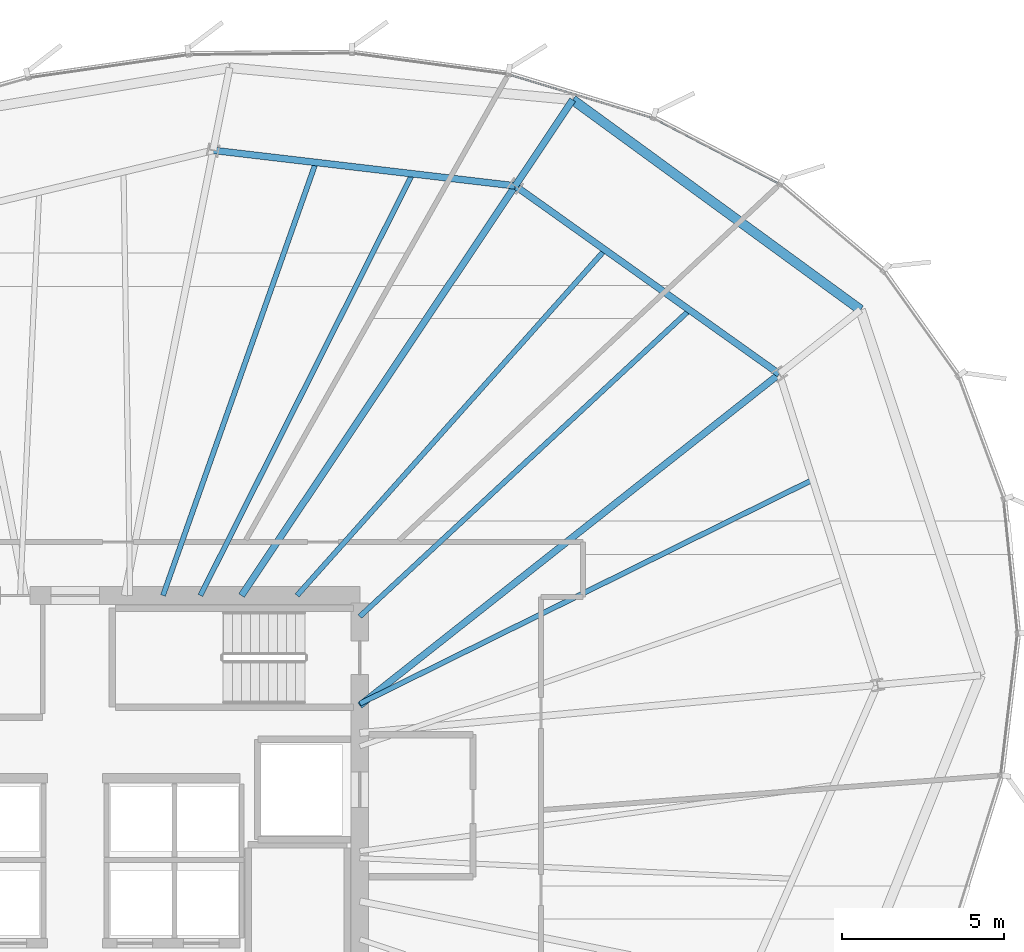
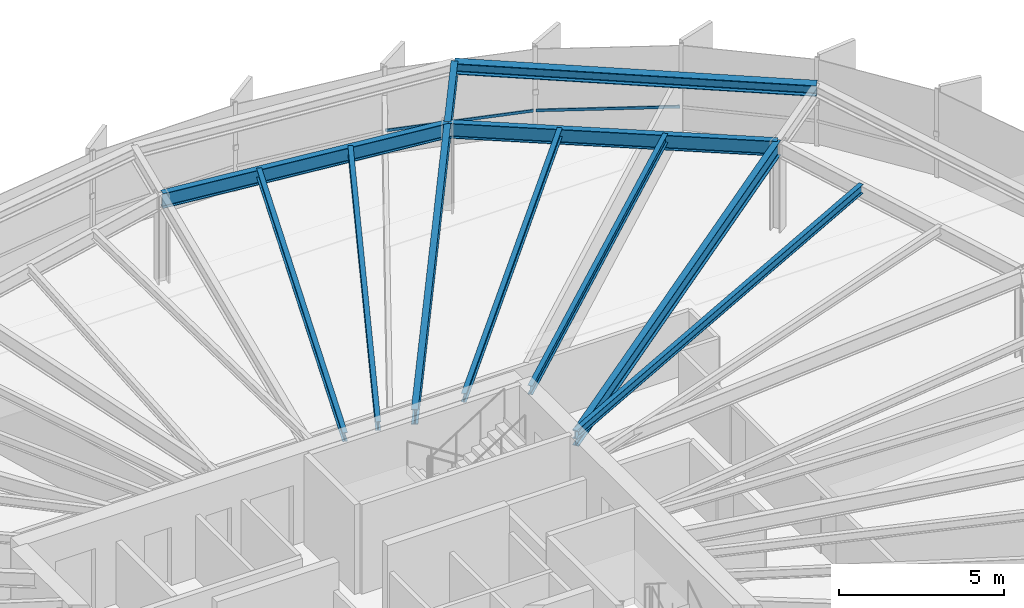
# One storey, part 23 of 35: 11 beams, 2 members, 1 element without a shape of its own.
"""IFC4 building model written with IfcOpenShell, lengths in metres."""

from ifc_helpers import new_model, si_unit, direction, frame, origin, origin_2d, place, context, subcontext, project, spatial, hollow_rectangle, i_section, extrude, source, transform, mapped, material, layer, layer_set, material_profile, profile_set, type_object, element, aggregate, save


model = new_model("IFC4")

# Units and contexts
model_context = context("Model", 3, precision=1e-05, world=origin(), true_north=direction((0.0, 1.0)))
body_context = subcontext(model_context, "Body", "Model", "MODEL_VIEW")
ifc_project = project(units=[si_unit("LENGTHUNIT", "METRE"), si_unit("AREAUNIT", "SQUARE_METRE"), si_unit("VOLUMEUNIT", "CUBIC_METRE"), si_unit("PLANEANGLEUNIT", "RADIAN"), si_unit("MASSUNIT", "GRAM", prefix="KILO"), si_unit("THERMODYNAMICTEMPERATUREUNIT", "KELVIN")], contexts=[model_context])

# Site, building, storey
site_placement = place(None, origin())
site = spatial("IfcSite", under=ifc_project, at=site_placement, CompositionType="ELEMENT")
building_placement = place(site_placement, origin())
building = spatial("IfcBuilding", under=site, at=building_placement, Name="Kethvar Cultural Tower", CompositionType="ELEMENT")
storey_placement = place(building_placement, frame((0.0, 0.0, 146.550048828125)))
storey = spatial("IfcBuildingStorey", under=building, at=storey_placement, Name="L37", CompositionType="ELEMENT", Elevation=146.550048828125)

# Beams
ifc_material_1 = material(Name="Steel S355J2", Category="steel")
ifc_material_profile_1 = material_profile(ifc_material_1, i_section(OverallWidth=0.2099609375, OverallDepth=0.550048828125, WebThickness=0.010986328125, FlangeThickness=0.01708984375, FilletRadius=0.02392578125, at=origin_2d()), Name="Steel S355J2 — IPE550")
ifc_profile_set_1 = profile_set([ifc_material_profile_1], Name="Steel S355J2 — IPE550")
beam_type_1 = type_object("IfcBeamType", Name="BM-IPE550", PredefinedType="BEAM", material=ifc_profile_set_1)
shared_shape_1 = source(origin(), body_context, "Body", "SweptSolid", [
    extrude(i_section(OverallWidth=0.2099609375, OverallDepth=0.550048828125, WebThickness=0.010986328125, FlangeThickness=0.01708984375, FilletRadius=0.02392578125, at=origin_2d()), origin(), (0.0, 0.0, 1.0), 3.199951171875),
])
beam_1_placement = place(storey_placement, frame((60.40478515625, 48.160888671875, 3.02294921875), z_axis=(0.555580212716, 0.831462943996, 0.0), x_axis=(-0.831462943996, 0.555580212716, 0.0)))
element("IfcBeam", 1, at=beam_1_placement, inside=storey, type_object=beam_type_1, Name="L37 Perimeter Cantilever Beam RC-03", PredefinedType="BEAM", context=body_context, shape_type="MappedRepresentation", body=[
    mapped(shared_shape_1, transform((0.0, 0.0, 0.0), scale=1.0)),
])
shared_shape_2 = source(origin(), body_context, "Body", "SweptSolid", [
    extrude(i_section(OverallWidth=0.2099609375, OverallDepth=0.550048828125, WebThickness=0.010986328125, FlangeThickness=0.01708984375, FilletRadius=0.02392578125, at=origin_2d()), origin(), (0.0, 0.0, 1.0), 16.527099609375),
])
beam_2_placement = place(storey_placement, frame((55.60009765625, 32.10009765625, 3.02294921875), z_axis=(0.784681939021, 0.619898584105, 0.0), x_axis=(-0.619898584105, 0.784681939021, 0.0)))
element("IfcBeam", 2, at=beam_2_placement, inside=storey, type_object=beam_type_1, Name="L37 Primary Radial Beam RB-02", PredefinedType="BEAM", context=body_context, shape_type="MappedRepresentation", body=[
    mapped(shared_shape_2, transform((0.0, 0.0, 0.0), scale=1.0)),
])
shared_shape_3 = source(origin(), body_context, "Body", "SweptSolid", [
    extrude(i_section(OverallWidth=0.2099609375, OverallDepth=0.550048828125, WebThickness=0.010986328125, FlangeThickness=0.01708984375, FilletRadius=0.02392578125, at=origin_2d()), origin(), (0.0, 0.0, 1.0), 15.22705078125),
])
beam_3_placement = place(storey_placement, frame((51.945068359375, 35.5, 3.02294921875), z_axis=(0.555569390778, 0.83147017507, 0.0), x_axis=(-0.83147017507, 0.555569390778, 0.0)))
element("IfcBeam", 3, at=beam_3_placement, inside=storey, type_object=beam_type_1, Name="L37 Primary Radial Beam RB-03", PredefinedType="BEAM", context=body_context, shape_type="MappedRepresentation", body=[
    mapped(shared_shape_3, transform((0.0, 0.0, 0.0), scale=1.0)),
])
ifc_material_profile_2 = material_profile(ifc_material_1, i_section(OverallWidth=0.159912109375, OverallDepth=0.330078125, WebThickness=0.007568359375, FlangeThickness=0.011474609375, FilletRadius=0.01806640625, at=origin_2d()), Name="Steel S355J2 — IPE330")
ifc_profile_set_2 = profile_set([ifc_material_profile_2], Name="Steel S355J2 — IPE330")
beam_type_2 = type_object("IfcBeamType", Name="BM-J330", PredefinedType="JOIST", material=ifc_profile_set_2)
shared_shape_4 = source(origin(), body_context, "Body", "SweptSolid", [
    extrude(i_section(OverallWidth=0.159912109375, OverallDepth=0.330078125, WebThickness=0.007568359375, FlangeThickness=0.011474609375, FilletRadius=0.01806640625, at=origin_2d()), origin(), (0.0, 0.0, 1.0), 15.618896484375),
])
beam_4_placement = place(storey_placement, frame((55.60009765625, 32.152587890625, 3.133056640625), z_axis=(0.896344638992, 0.443357968408, 0.0), x_axis=(-0.443357968408, 0.896344638992, 0.0)))
element("IfcBeam", 4, at=beam_4_placement, inside=storey, type_object=beam_type_2, Name="L37 Composite Floor Joist J-01B", PredefinedType="JOIST", context=body_context, shape_type="MappedRepresentation", body=[
    mapped(shared_shape_4, transform((0.0, 0.0, 0.0), scale=1.0)),
])
shared_shape_5 = source(origin(), body_context, "Body", "SweptSolid", [
    extrude(i_section(OverallWidth=0.2099609375, OverallDepth=0.550048828125, WebThickness=0.010986328125, FlangeThickness=0.01708984375, FilletRadius=0.02392578125, at=origin_2d()), origin(), (0.0, 0.0, 1.0), 10.0234375),
])
beam_5_placement = place(storey_placement, frame((68.568603515625, 42.34521484375, 3.02294921875), z_axis=(-0.814470106239, 0.580205520521, 0.0), x_axis=(-0.580205520521, -0.814470106239, 0.0)))
element("IfcBeam", 5, at=beam_5_placement, inside=storey, type_object=beam_type_1, Name="L37 Column Ring Tie Beam CR-02", PredefinedType="BEAM", context=body_context, shape_type="MappedRepresentation", body=[
    mapped(shared_shape_5, transform((0.0, 0.0, 0.0), scale=1.0)),
])
shared_shape_6 = source(origin(), body_context, "Body", "SweptSolid", [
    extrude(i_section(OverallWidth=0.159912109375, OverallDepth=0.330078125, WebThickness=0.007568359375, FlangeThickness=0.011474609375, FilletRadius=0.01806640625, at=origin_2d()), origin(), (0.0, 0.0, 1.0), 13.91455078125),
])
beam_6_placement = place(storey_placement, frame((55.60009765625, 34.85009765625, 3.133056640625), z_axis=(0.732512843328, 0.680753211054, 0.0), x_axis=(-0.680753211054, 0.732512843328, 0.0)))
element("IfcBeam", 6, at=beam_6_placement, inside=storey, type_object=beam_type_2, Name="L37 Composite Floor Joist J-02A", PredefinedType="JOIST", context=body_context, shape_type="MappedRepresentation", body=[
    mapped(shared_shape_6, transform((0.0, 0.0, 0.0), scale=1.0)),
])
shared_shape_7 = source(origin(), body_context, "Body", "SweptSolid", [
    extrude(i_section(OverallWidth=0.159912109375, OverallDepth=0.330078125, WebThickness=0.007568359375, FlangeThickness=0.011474609375, FilletRadius=0.01806640625, at=origin_2d()), origin(), (0.0, 0.0, 1.0), 14.3095703125),
])
beam_7_placement = place(storey_placement, frame((53.660888671875, 35.5, 3.133056640625), z_axis=(0.665261381663, 0.746610537073, 0.0), x_axis=(-0.746610537073, 0.665261381663, 0.0)))
element("IfcBeam", 7, at=beam_7_placement, inside=storey, type_object=beam_type_2, Name="L37 Composite Floor Joist J-02B", PredefinedType="JOIST", context=body_context, shape_type="MappedRepresentation", body=[
    mapped(shared_shape_7, transform((0.0, 0.0, 0.0), scale=1.0)),
])
shared_shape_8 = source(origin(), body_context, "Body", "SweptSolid", [
    extrude(i_section(OverallWidth=0.2099609375, OverallDepth=0.550048828125, WebThickness=0.010986328125, FlangeThickness=0.01708984375, FilletRadius=0.02392578125, at=origin_2d()), origin(), (0.0, 0.0, 1.0), 9.400634765625),
])
beam_8_placement = place(storey_placement, frame((60.40478515625, 48.160888671875, 3.02294921875), z_axis=(-0.993150427046, 0.116842754407, 0.0), x_axis=(-0.116842754407, -0.993150427046, 0.0)))
element("IfcBeam", 8, at=beam_8_placement, inside=storey, type_object=beam_type_1, Name="L37 Column Ring Tie Beam CR-03", PredefinedType="BEAM", context=body_context, shape_type="MappedRepresentation", body=[
    mapped(shared_shape_8, transform((0.0, 0.0, 0.0), scale=1.0)),
])
shared_shape_9 = source(origin(), body_context, "Body", "SweptSolid", [
    extrude(i_section(OverallWidth=0.159912109375, OverallDepth=0.330078125, WebThickness=0.007568359375, FlangeThickness=0.011474609375, FilletRadius=0.01806640625, at=origin_2d()), origin(), (0.0, 0.0, 1.0), 14.590576171875),
])
beam_9_placement = place(storey_placement, frame((50.673583984375, 35.5, 3.133056640625), z_axis=(0.449394228778, 0.893333547529, 0.0), x_axis=(-0.893333547529, 0.449394228778, 0.0)))
element("IfcBeam", 9, at=beam_9_placement, inside=storey, type_object=beam_type_2, Name="L37 Composite Floor Joist J-03A", PredefinedType="JOIST", context=body_context, shape_type="MappedRepresentation", body=[
    mapped(shared_shape_9, transform((0.0, 0.0, 0.0), scale=1.0)),
])
shared_shape_10 = source(origin(), body_context, "Body", "SweptSolid", [
    extrude(i_section(OverallWidth=0.159912109375, OverallDepth=0.330078125, WebThickness=0.007568359375, FlangeThickness=0.011474609375, FilletRadius=0.01806640625, at=origin_2d()), origin(), (0.0, 0.0, 1.0), 14.1953125),
])
beam_10_placement = place(storey_placement, frame((49.517822265625, 35.5, 3.133056640625), z_axis=(0.332865098769, 0.942974456717, 0.0), x_axis=(-0.942974456717, 0.332865098769, 0.0)))
element("IfcBeam", 10, at=beam_10_placement, inside=storey, type_object=beam_type_2, Name="L37 Composite Floor Joist J-03B", PredefinedType="JOIST", context=body_context, shape_type="MappedRepresentation", body=[
    mapped(shared_shape_10, transform((0.0, 0.0, 0.0), scale=1.0)),
])
ifc_material_profile_3 = material_profile(ifc_material_1, i_section(OverallWidth=0.300048828125, OverallDepth=0.39990234375, WebThickness=0.013427734375, FlangeThickness=0.02392578125, FilletRadius=0.027099609375, at=origin_2d()), Name="Steel S355J2 — HEB400")
ifc_profile_set_3 = profile_set([ifc_material_profile_3], Name="Steel S355J2 — HEB400")
beam_type_3 = type_object("IfcBeamType", Name="BM-SP400", PredefinedType="SPANDREL", material=ifc_profile_set_3)
shared_shape_11 = source(origin(), body_context, "Body", "SweptSolid", [
    extrude(i_section(OverallWidth=0.300048828125, OverallDepth=0.39990234375, WebThickness=0.013427734375, FlangeThickness=0.02392578125, FilletRadius=0.027099609375, at=origin_2d()), origin(), (0.0, 0.0, 1.0), 11.013916015625),
])
beam_11_placement = place(storey_placement, frame((71.07958984375, 44.3291015625, 3.097900390625), z_axis=(-0.807788950974, 0.589471806522, 0.0), x_axis=(-0.589471806522, -0.807788950974, 0.0)))
element("IfcBeam", 11, at=beam_11_placement, inside=storey, type_object=beam_type_3, Name="L37 Perimeter Spandrel Beam SP-02", PredefinedType="SPANDREL", context=body_context, shape_type="MappedRepresentation", body=[
    mapped(shared_shape_11, transform((0.0, 0.0, 0.0), scale=1.0)),
])

# Curtain wall, members
ifc_material_2 = material(Name="Aluminium 6063-T6", Category="aluminium")
ifc_layer = layer(ifc_material_2, 0.179931640625, Name="Aluminium 6063-T6", Category="aluminium")
ifc_layer_set = layer_set([ifc_layer], Name="Aluminium 6063-T6 (180 mm)")
curtain_wall_type = type_object("IfcCurtainWallType", Name="CW-SYS-04-Z34", PredefinedType="NOTDEFINED", material=ifc_layer_set)
curtain_wall_placement = place(storey_placement, origin())
curtain_wall = element("IfcCurtainWall", 12, at=curtain_wall_placement, inside=storey, type_object=curtain_wall_type, Name="L37 Curtain Wall Run 01", PredefinedType="NOTDEFINED")
ifc_material_profile_4 = material_profile(ifc_material_2, hollow_rectangle(XDim=0.050048828125, YDim=0.10009765625, WallThickness=0.00390625, at=origin_2d()), Name="Aluminium 6063-T6 — RHS100x50x4")
ifc_profile_set_4 = profile_set([ifc_material_profile_4], Name="Aluminium 6063-T6 — RHS100x50x4")
member_type = type_object("IfcMemberType", Name="CW-SYS-04-Z34-TRN", PredefinedType="USERDEFINED", material=ifc_profile_set_4)
shared_shape_12 = source(origin(), body_context, "Body", "SweptSolid", [
    extrude(hollow_rectangle(XDim=0.050048828125, YDim=0.10009765625, WallThickness=0.00390625, at=origin_2d()), origin(), (0.0, 0.0, 1.0), 4.35107421875),
])
member_1_placement = place(storey_placement, frame((68.55078125, 48.233642578125, 0.949951171875), z_axis=(-0.887025643937, 0.461720160918, 0.0), x_axis=(-0.461720160918, -0.887025643937, 0.0)))
member_1 = element("IfcMember", 13, at=member_1_placement, type_object=member_type, Name="CW-L37-R01 Transom 3", ObjectType="TRANSOM", PredefinedType="USERDEFINED", context=body_context, shape_type="MappedRepresentation", body=[
    mapped(shared_shape_12, transform((0.0, 0.0, 0.0), scale=1.0)),
])
shared_shape_13 = source(origin(), body_context, "Body", "SweptSolid", [
    extrude(hollow_rectangle(XDim=0.050048828125, YDim=0.10009765625, WallThickness=0.00390625, at=origin_2d()), origin(), (0.0, 0.0, 1.0), 4.606689453125),
])
member_2_placement = place(storey_placement, frame((64.63037109375, 50.267333984375, 0.949951171875), z_axis=(-0.957317197435, 0.289039415125, 0.0), x_axis=(-0.289039415125, -0.957317197435, 0.0)))
member_2 = element("IfcMember", 14, at=member_2_placement, type_object=member_type, Name="CW-L37-R01 Transom 4", ObjectType="TRANSOM", PredefinedType="USERDEFINED", context=body_context, shape_type="MappedRepresentation", body=[
    mapped(shared_shape_13, transform((0.0, 0.0, 0.0), scale=1.0)),
])
aggregate(curtain_wall, [member_1, member_2])

save(model, "model.ifc")
